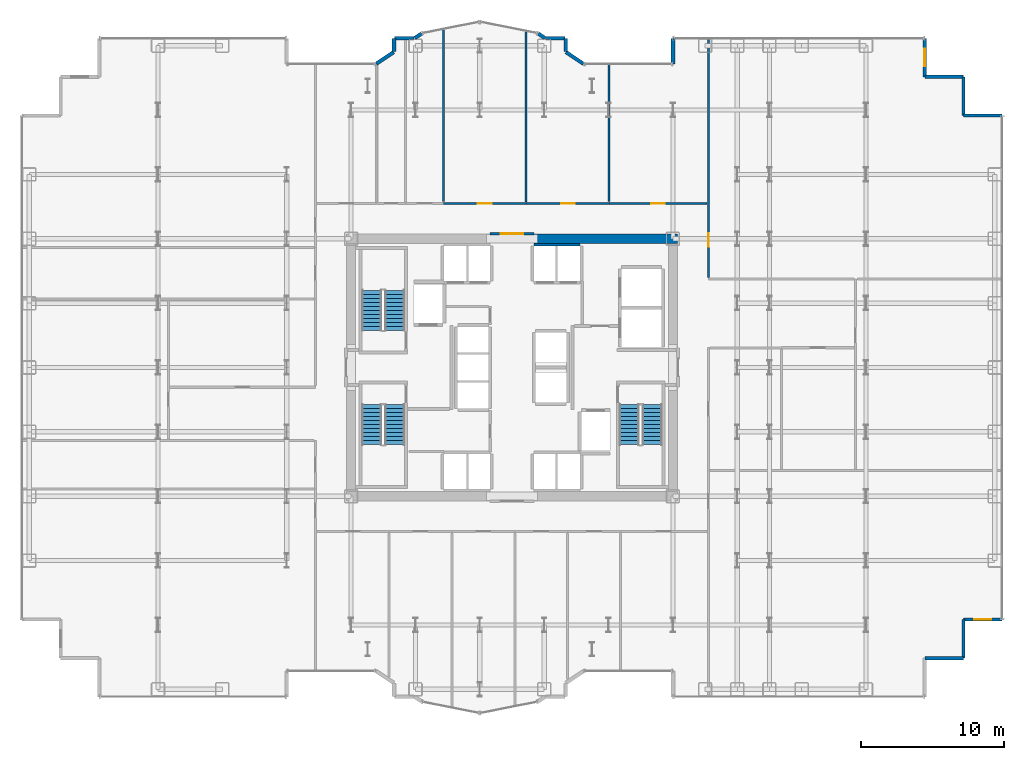
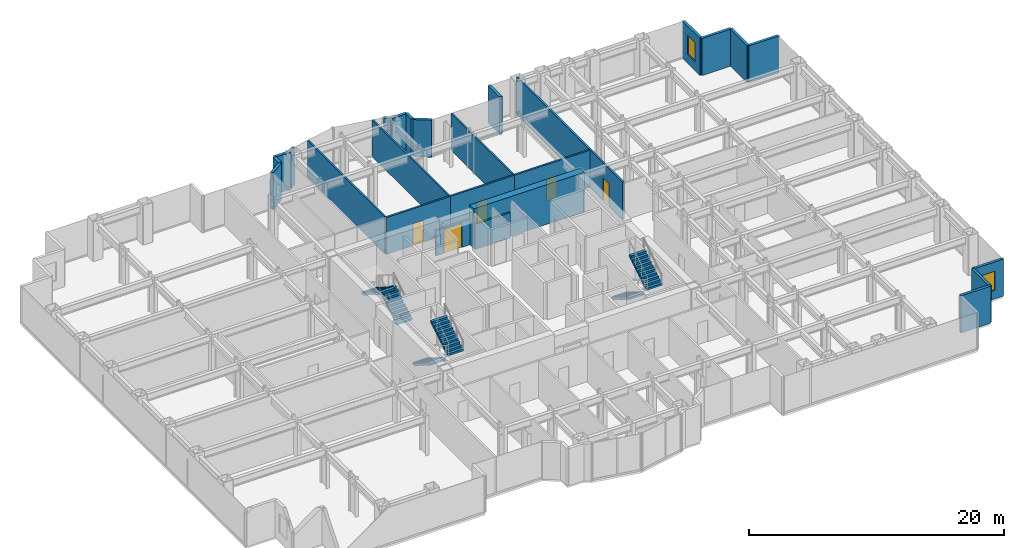
# One storey, part 24 of 25: 26 walls, 6 stair flights, 5 doors, 2 windows, 7 openings, 3 elements without a shape of their own.
"""IFC4 building model written with IfcOpenShell, lengths in metres."""

from ifc_helpers import new_model, si_unit, direction, frame, frame_2d, origin, place, context, subcontext, project, spatial, polyline, rectangle, outline, extrude, source, transform, mapped, material, layer, layer_set, type_object, element, fill, aggregate, save


model = new_model("IFC4")

# Units and contexts
model_context = context("Model", 3, precision=1e-05, world=origin(), true_north=direction((0.0, 1.0)))
body_context = subcontext(model_context, "Body", "Model", "MODEL_VIEW")
ifc_project = project(units=[si_unit("LENGTHUNIT", "METRE"), si_unit("AREAUNIT", "SQUARE_METRE"), si_unit("VOLUMEUNIT", "CUBIC_METRE"), si_unit("PLANEANGLEUNIT", "RADIAN"), si_unit("MASSUNIT", "GRAM", prefix="KILO")], contexts=[model_context])

# Site, building, storey
site_placement = place(None, origin())
site = spatial("IfcSite", under=ifc_project, at=site_placement, CompositionType="ELEMENT")
building_placement = place(site_placement, origin())
building = spatial("IfcBuilding", under=site, at=building_placement, Name="Nefas-Gora Pilgrimage Tower", CompositionType="ELEMENT")
storey_placement = place(building_placement, frame((0.0, 0.0, 52.0)))
storey = spatial("IfcBuildingStorey", under=building, at=storey_placement, Name="L11", CompositionType="ELEMENT", Elevation=52.0)

# Walls
ifc_material_1 = material(Name="Concrete C60/75", Category="concrete")
ifc_layer_1 = layer(ifc_material_1, 0.64990234375)
ifc_layer_set_1 = layer_set([ifc_layer_1], Name="Concrete C60/75")
wall_type_1 = type_object("IfcWallType", Name="SW-CORE-650", PredefinedType="SHEAR", material=ifc_layer_set_1)
shared_shape_1 = source(origin(), body_context, "Body", "SweptSolid", [
    extrude(rectangle(XDim=10.02490234375, YDim=0.64990234375, at=frame_2d((5.012451171875, 0.0))), origin(), (0.0, 0.0, 1.0), 3.800048828125),
])
wall_1_placement = place(storey_placement, frame((1.550048828125, 9.0, 0.0), z_axis=(0.0, 0.0, 1.0), x_axis=(1.0, 0.0, 0.0)))
element("IfcWall", 1, at=wall_1_placement, inside=storey, type_object=wall_type_1, Name="L11 Core Shear Wall N-East", PredefinedType="SHEAR", context=body_context, shape_type="MappedRepresentation", body=[
    mapped(shared_shape_1, transform((0.0, 0.0, 0.0), x_axis=(1.0, 0.0, 0.0), y_axis=(0.0, 1.0, 0.0), z_axis=(0.0, 0.0, 1.0), scale=1.0)),
])
ifc_material_2 = material(Name="Precast concrete C40/50", Category="concrete")
ifc_layer_2 = layer(ifc_material_2, 0.260009765625)
ifc_layer_set_2 = layer_set([ifc_layer_2], Name="Precast concrete C40/50")
wall_type_2 = type_object("IfcWallType", Name="EW-PORTAL-260", PredefinedType="SOLIDWALL", material=ifc_layer_set_2)
shared_shape_2 = source(origin(), body_context, "Body", "SweptSolid", [
    extrude(rectangle(XDim=1.800048828125, YDim=0.260009765625, at=frame_2d((0.89990234375, 0.0))), origin(), (0.0, 0.0, 1.0), 3.550048828125),
])
wall_2_placement = place(storey_placement, frame((11.25, 23.02001953125, 0.0), z_axis=(0.0, 0.0, 1.0), x_axis=(0.0, -1.0, 0.0)))
element("IfcWall", 2, at=wall_2_placement, inside=storey, type_object=wall_type_2, Name="L11 Lobe Shoulder Precast Spandrel Pier 10", PredefinedType="SOLIDWALL", context=body_context, shape_type="MappedRepresentation", body=[
    mapped(shared_shape_2, transform((0.0, 0.0, 0.0), x_axis=(1.0, 0.0, 0.0), y_axis=(0.0, 1.0, 0.0), z_axis=(0.0, 0.0, 1.0), scale=1.0)),
])
ifc_material_3 = material(Name="Precast concrete C45/55", Category="concrete")
ifc_layer_3 = layer(ifc_material_3, 0.239990234375)
ifc_layer_set_3 = layer_set([ifc_layer_3], Name="Precast concrete C45/55")
wall_type_3 = type_object("IfcWallType", Name="EW-SERR-240", PredefinedType="SHEAR", material=ifc_layer_set_3)
shared_shape_3 = source(origin(), body_context, "Body", "SweptSolid", [
    extrude(rectangle(XDim=2.699951171875, YDim=0.239990234375, at=frame_2d((1.35009765625, 0.0))), origin(), (0.0, 0.0, 1.0), 3.550048828125),
])
for number, where, z_axis, x_axis, name in (
    (3, (28.8701171875, -20.320068359375, 0.0), (0.0, 0.0, 1.0), (1.0, 0.0, 0.0), "L11 Serrated Corner Shear Pier Wall 3"),
    (4, (31.570068359375, -20.320068359375, 0.0), (0.0, 0.0, 1.0), (0.0, 1.0, 0.0), "L11 Serrated Corner Shear Pier Wall 4"),
):
    element("IfcWall", number, at=place(storey_placement, frame(where, z_axis=z_axis, x_axis=x_axis)), inside=storey, type_object=wall_type_3, Name=name, PredefinedType="SHEAR", context=body_context, shape_type="MappedRepresentation", body=[
        mapped(shared_shape_3, transform((0.0, 0.0, 0.0), x_axis=(1.0, 0.0, 0.0), y_axis=(0.0, 1.0, 0.0), z_axis=(0.0, 0.0, 1.0), scale=1.0)),
    ])

# Wall, opening, window
wall_3_placement = place(storey_placement, frame((31.570068359375, -17.6201171875, 0.0), z_axis=(0.0, 0.0, 1.0), x_axis=(1.0, 0.0, 0.0)))
wall_3 = element("IfcWall", 5, at=wall_3_placement, inside=storey, type_object=wall_type_3, Name="L11 Serrated Corner Shear Pier Wall 5", PredefinedType="SHEAR", context=body_context, shape_type="MappedRepresentation", body=[
    mapped(shared_shape_3, transform((0.0, 0.0, 0.0), x_axis=(1.0, 0.0, 0.0), y_axis=(0.0, 1.0, 0.0), z_axis=(0.0, 0.0, 1.0), scale=1.0)),
])
opening_1_placement = place(wall_3_placement, frame((0.75, 0.0, 0.85009765625)))
opening_1 = element("IfcOpeningElement", 6, at=opening_1_placement, cuts=wall_3, Name="Opening W-V1", PredefinedType="OPENING", context=body_context, shape_type="SweptSolid", body=[
    extrude(rectangle(XDim=1.199951171875, YDim=1.800048828125, at=frame_2d((0.60009765625, 0.89990234375))), frame((0.0, 0.1298828125, 0.0), z_axis=(0.0, -1.0, 0.0), x_axis=(1.0, 0.0, 0.0)), (0.0, 0.0, 1.0), 0.260009765625),
])
ifc_material_4 = material(Name="Dark ceramic-fritted operable aluminium-glass window", Category="aluminium")
window_type = type_object("IfcWindowType", Name="WIN-VENT-1200x1800", PartitioningType="SINGLE_PANEL", PredefinedType="WINDOW", material=ifc_material_4)
shared_shape_4 = source(origin(), body_context, "Body", "SweptSolid", [
    extrude(rectangle(XDim=1.199951171875, YDim=1.800048828125, at=frame_2d((0.60009765625, 0.89990234375))), frame((0.0, 0.030029296875, 0.0), z_axis=(0.0, -1.0, 0.0), x_axis=(1.0, 0.0, 0.0)), (0.0, 0.0, 1.0), 0.06005859375),
])
window_1_placement = place(opening_1_placement, origin())
window_1 = element("IfcWindow", 7, at=window_1_placement, inside=storey, type_object=window_type, Name="L11 Operable Parallel-Outswing Window 5", OverallHeight=1.800048828125, OverallWidth=1.199951171875, PartitioningType="SINGLE_PANEL", PredefinedType="WINDOW", context=body_context, shape_type="MappedRepresentation", body=[
    mapped(shared_shape_4, transform((0.0, 0.0, 0.0), x_axis=(1.0, 0.0, 0.0), y_axis=(0.0, 1.0, 0.0), z_axis=(0.0, 0.0, 1.0), scale=1.0)),
])
fill(opening_1, window_1)

# Walls
for number, where, z_axis, x_axis, name in (
    (8, (34.27001953125, 17.6201171875, 0.0), (0.0, 0.0, 1.0), (-1.0, 0.0, 0.0), "L11 Serrated Corner Shear Pier Wall 6"),
    (9, (31.570068359375, 17.6201171875, 0.0), (0.0, 0.0, 1.0), (0.0, 1.0, 0.0), "L11 Serrated Corner Shear Pier Wall 7"),
    (10, (31.570068359375, 20.320068359375, 0.0), (0.0, 0.0, 1.0), (-1.0, 0.0, 0.0), "L11 Serrated Corner Shear Pier Wall 8"),
):
    element("IfcWall", number, at=place(storey_placement, frame(where, z_axis=z_axis, x_axis=x_axis)), inside=storey, type_object=wall_type_3, Name=name, PredefinedType="SHEAR", context=body_context, shape_type="MappedRepresentation", body=[
        mapped(shared_shape_3, transform((0.0, 0.0, 0.0), x_axis=(1.0, 0.0, 0.0), y_axis=(0.0, 1.0, 0.0), z_axis=(0.0, 0.0, 1.0), scale=1.0)),
    ])

# Wall, opening, window
wall_4_placement = place(storey_placement, frame((28.8701171875, 20.320068359375, 0.0), z_axis=(0.0, 0.0, 1.0), x_axis=(0.0, 1.0, 0.0)))
wall_4 = element("IfcWall", 11, at=wall_4_placement, inside=storey, type_object=wall_type_3, Name="L11 Serrated Corner Shear Pier Wall 9", PredefinedType="SHEAR", context=body_context, shape_type="MappedRepresentation", body=[
    mapped(shared_shape_3, transform((0.0, 0.0, 0.0), x_axis=(1.0, 0.0, 0.0), y_axis=(0.0, 1.0, 0.0), z_axis=(0.0, 0.0, 1.0), scale=1.0)),
])
opening_2_placement = place(wall_4_placement, frame((0.75, 0.0, 0.85009765625)))
opening_2 = element("IfcOpeningElement", 12, at=opening_2_placement, cuts=wall_4, Name="Opening W-V1", PredefinedType="OPENING", context=body_context, shape_type="SweptSolid", body=[
    extrude(rectangle(XDim=1.199951171875, YDim=1.800048828125, at=frame_2d((0.60009765625, 0.89990234375))), frame((0.0, 0.1298828125, 0.0), z_axis=(0.0, -1.0, 0.0), x_axis=(1.0, 0.0, 0.0)), (0.0, 0.0, 1.0), 0.260009765625),
])
window_2_placement = place(opening_2_placement, origin())
window_2 = element("IfcWindow", 13, at=window_2_placement, inside=storey, type_object=window_type, Name="L11 Operable Parallel-Outswing Window 9", OverallHeight=1.800048828125, OverallWidth=1.199951171875, PartitioningType="SINGLE_PANEL", PredefinedType="WINDOW", context=body_context, shape_type="MappedRepresentation", body=[
    mapped(shared_shape_4, transform((0.0, 0.0, 0.0), x_axis=(1.0, 0.0, 0.0), y_axis=(0.0, 1.0, 0.0), z_axis=(0.0, 0.0, 1.0), scale=1.0)),
])
fill(opening_2, window_2)

# Walls
shared_shape_5 = source(origin(), body_context, "Body", "SweptSolid", [
    extrude(rectangle(XDim=1.468994140625, YDim=0.260009765625, at=frame_2d((0.734375, 0.0))), origin(), (0.0, 0.0, 1.0), 3.550048828125),
])
for number, where, z_axis, x_axis, name in (
    (14, (4.99462890625, 21.235595703125, 0.0), (0.0, 0.0, 1.0), (-0.831461760506, 0.555581983884, 0.0), "L11 Lobe Shoulder Precast Spandrel Pier 11"),
    (15, (-8.273193359375, 22.0517578125, 0.0), (0.0, 0.0, 1.0), (-0.831461760506, -0.555581983884, 0.0), "L11 Lobe Shoulder Precast Spandrel Pier 18"),
):
    element("IfcWall", number, at=place(storey_placement, frame(where, z_axis=z_axis, x_axis=x_axis)), inside=storey, type_object=wall_type_2, Name=name, PredefinedType="SOLIDWALL", context=body_context, shape_type="MappedRepresentation", body=[
        mapped(shared_shape_5, transform((0.0, 0.0, 0.0), x_axis=(1.0, 0.0, 0.0), y_axis=(0.0, 1.0, 0.0), z_axis=(0.0, 0.0, 1.0), scale=1.0)),
    ])
shared_shape_6 = source(origin(), body_context, "Body", "SweptSolid", [
    extrude(rectangle(XDim=0.896728515625, YDim=0.260009765625, at=frame_2d((0.4482421875, 0.0))), origin(), (0.0, 0.0, 1.0), 3.550048828125),
])
for number, where, z_axis, x_axis, name in (
    (16, (3.75, 22.09521484375, 0.0), (0.0, 0.0, 1.0), (0.0, 1.0, 0.0), "L11 Lobe Shoulder Precast Spandrel Pier 12"),
    (17, (-8.25, 22.991943359375, 0.0), (0.0, 0.0, 1.0), (0.0, -1.0, 0.0), "L11 Lobe Shoulder Precast Spandrel Pier 17"),
):
    element("IfcWall", number, at=place(storey_placement, frame(where, z_axis=z_axis, x_axis=x_axis)), inside=storey, type_object=wall_type_2, Name=name, PredefinedType="SOLIDWALL", context=body_context, shape_type="MappedRepresentation", body=[
        mapped(shared_shape_6, transform((0.0, 0.0, 0.0), x_axis=(1.0, 0.0, 0.0), y_axis=(0.0, 1.0, 0.0), z_axis=(0.0, 0.0, 1.0), scale=1.0)),
    ])
shared_shape_7 = source(origin(), body_context, "Body", "SweptSolid", [
    extrude(rectangle(XDim=1.369873046875, YDim=0.260009765625, at=frame_2d((0.68505859375, 0.0))), origin(), (0.0, 0.0, 1.0), 3.550048828125),
])
for number, where, z_axis, x_axis, name in (
    (18, (3.721923828125, 23.02001953125, 0.0), (0.0, 0.0, 1.0), (-1.0, 0.0, 0.0), "L11 Lobe Shoulder Precast Spandrel Pier 13"),
    (19, (-6.85205078125, 23.02001953125, 0.0), (0.0, 0.0, 1.0), (-1.0, 0.0, 0.0), "L11 Lobe Shoulder Precast Spandrel Pier 16"),
):
    element("IfcWall", number, at=place(storey_placement, frame(where, z_axis=z_axis, x_axis=x_axis)), inside=storey, type_object=wall_type_2, Name=name, PredefinedType="SOLIDWALL", context=body_context, shape_type="MappedRepresentation", body=[
        mapped(shared_shape_7, transform((0.0, 0.0, 0.0), x_axis=(1.0, 0.0, 0.0), y_axis=(0.0, 1.0, 0.0), z_axis=(0.0, 0.0, 1.0), scale=1.0)),
    ])
shared_shape_8 = source(origin(), body_context, "Body", "SweptSolid", [
    extrude(rectangle(XDim=0.5654296875, YDim=0.260009765625, at=frame_2d((0.28271484375, 0.0))), origin(), (0.0, 0.0, 1.0), 3.550048828125),
])
for number, where, z_axis, x_axis, name in (
    (20, (2.30078125, 23.03564453125, 0.0), (0.0, 0.0, 1.0), (-0.831651492666, 0.555297933317, 0.0), "L11 Lobe Shoulder Precast Spandrel Pier 14"),
    (21, (-6.33056640625, 23.349609375, 0.0), (0.0, 0.0, 1.0), (-0.831651492666, -0.555297933317, 0.0), "L11 Lobe Shoulder Precast Spandrel Pier 15"),
):
    element("IfcWall", number, at=place(storey_placement, frame(where, z_axis=z_axis, x_axis=x_axis)), inside=storey, type_object=wall_type_2, Name=name, PredefinedType="SOLIDWALL", context=body_context, shape_type="MappedRepresentation", body=[
        mapped(shared_shape_8, transform((0.0, 0.0, 0.0), x_axis=(1.0, 0.0, 0.0), y_axis=(0.0, 1.0, 0.0), z_axis=(0.0, 0.0, 1.0), scale=1.0)),
    ])
ifc_material_5 = material(Name="Gypsum acoustic stud partition")
ifc_layer_4 = layer(ifc_material_5, 0.159912109375)
ifc_layer_set_4 = layer_set([ifc_layer_4], Name="Gypsum acoustic stud partition")
wall_type_4 = type_object("IfcWallType", Name="IW-CORR-160", PredefinedType="PARTITIONING", material=ifc_layer_set_4)
shared_shape_9 = source(origin(), body_context, "Body", "SweptSolid", [
    extrude(rectangle(XDim=3.199951171875, YDim=0.159912109375, at=frame_2d((1.60009765625, 0.0))), origin(), (0.0, 0.0, 1.0), 2.425048828125),
])
wall_5_placement = place(storey_placement, frame((4.75, 8.580078125, 0.0), z_axis=(0.0, 0.0, 1.0), x_axis=(-1.0, 0.0, 0.0)))
element("IfcWall", 22, at=wall_5_placement, inside=storey, type_object=wall_type_4, Name="L11 Hoistway Wall PL1-E-N", PredefinedType="PARTITIONING", context=body_context, shape_type="MappedRepresentation", body=[
    mapped(shared_shape_9, transform((0.0, 0.0, 0.0), x_axis=(1.0, 0.0, 0.0), y_axis=(0.0, 1.0, 0.0), z_axis=(0.0, 0.0, 1.0), scale=1.0)),
])

# Wall, opening, door
shared_shape_10 = source(origin(), body_context, "Body", "SweptSolid", [
    extrude(rectangle(XDim=3.08984375, YDim=0.159912109375, at=frame_2d((1.544921875, 0.0))), origin(), (0.0, 0.0, 1.0), 2.425048828125),
])
wall_6_placement = place(storey_placement, frame((-1.544921875, 9.35009765625, 0.0), z_axis=(0.0, 0.0, 1.0), x_axis=(1.0, 0.0, 0.0)))
wall_6 = element("IfcWall", 23, at=wall_6_placement, inside=storey, type_object=wall_type_4, Name="L11 Central Lift Lobby North Portal Wall 13", PredefinedType="PARTITIONING", context=body_context, shape_type="MappedRepresentation", body=[
    mapped(shared_shape_10, transform((0.0, 0.0, 0.0), x_axis=(1.0, 0.0, 0.0), y_axis=(0.0, 1.0, 0.0), z_axis=(0.0, 0.0, 1.0), scale=1.0)),
])
opening_3_placement = place(wall_6_placement, frame((0.7451171875, 0.0, 0.0)))
opening_3 = element("IfcOpeningElement", 24, at=opening_3_placement, cuts=wall_6, Name="Opening ID-HL1", PredefinedType="OPENING", context=body_context, shape_type="SweptSolid", body=[
    extrude(rectangle(XDim=1.60009765625, YDim=2.300048828125, at=frame_2d((0.800048828125, 1.14990234375))), frame((0.0, 0.08984375, 0.0), z_axis=(0.0, -1.0, 0.0), x_axis=(1.0, 0.0, 0.0)), (0.0, 0.0, 1.0), 0.179931640625),
])
ifc_material_6 = material(Name="Double acoustic timber assembly hall door", Category="wood")
door_type_1 = type_object("IfcDoorType", Name="DR-INT-HALL-1600", OperationType="DOUBLE_DOOR_SINGLE_SWING", PredefinedType="DOOR", material=ifc_material_6)
shared_shape_11 = source(origin(), body_context, "Body", "SweptSolid", [
    extrude(rectangle(XDim=1.60009765625, YDim=2.300048828125, at=frame_2d((0.800048828125, 1.14990234375))), frame((0.0, 0.02490234375, 0.0), z_axis=(0.0, -1.0, 0.0), x_axis=(1.0, 0.0, 0.0)), (0.0, 0.0, 1.0), 0.050048828125),
])
door_1_placement = place(opening_3_placement, origin())
door_1 = element("IfcDoor", 25, at=door_1_placement, inside=storey, type_object=door_type_1, Name="L11 Central Lift Lobby North Portal Door 4", OperationType="DOUBLE_DOOR_SINGLE_SWING", OverallHeight=2.300048828125, OverallWidth=1.60009765625, PredefinedType="DOOR", context=body_context, shape_type="MappedRepresentation", body=[
    mapped(shared_shape_11, transform((0.0, 0.0, 0.0), x_axis=(1.0, 0.0, 0.0), y_axis=(0.0, 1.0, 0.0), z_axis=(0.0, 0.0, 1.0), scale=1.0)),
])
fill(opening_3, door_1)

# Wall
ifc_material_7 = material(Name="Gypsum twin-stud partition")
ifc_layer_5 = layer(ifc_material_7, 0.139892578125)
ifc_layer_set_5 = layer_set([ifc_layer_5], Name="Gypsum twin-stud partition")
wall_type_5 = type_object("IfcWallType", Name="IW-UNIT-140", PredefinedType="PARTITIONING", material=ifc_layer_set_5)
shared_shape_12 = source(origin(), body_context, "Body", "SweptSolid", [
    extrude(rectangle(XDim=9.64990234375, YDim=0.139892578125, at=frame_2d((4.824951171875, 0.0))), origin(), (0.0, 0.0, 1.0), 3.534912109375),
])
wall_7_placement = place(storey_placement, frame((6.794921875, 11.590087890625, 0.0), z_axis=(0.0, 0.0, 1.0), x_axis=(0.0, 1.0, 0.0)))
element("IfcWall", 26, at=wall_7_placement, inside=storey, type_object=wall_type_5, Name="L11 Pilgrim Contemplative Lounge Partition Wall 50", PredefinedType="PARTITIONING", context=body_context, shape_type="MappedRepresentation", body=[
    mapped(shared_shape_12, transform((0.0, 0.0, 0.0), x_axis=(1.0, 0.0, 0.0), y_axis=(0.0, 1.0, 0.0), z_axis=(0.0, 0.0, 1.0), scale=1.0)),
])

# Wall, opening, door
shared_shape_13 = source(origin(), body_context, "Body", "SweptSolid", [
    extrude(rectangle(XDim=16.735107421875, YDim=0.159912109375, at=frame_2d((8.36767578125, 0.0))), origin(), (0.0, 0.0, 1.0), 3.534912109375),
])
wall_8_placement = place(storey_placement, frame((13.739990234375, 6.304931640625, 0.0), z_axis=(0.0, 0.0, 1.0), x_axis=(0.0, 1.0, 0.0)))
wall_8 = element("IfcWall", 27, at=wall_8_placement, inside=storey, type_object=wall_type_4, Name="L11 Pilgrim Contemplative Lounge Partition Wall 43", PredefinedType="PARTITIONING", context=body_context, shape_type="MappedRepresentation", body=[
    mapped(shared_shape_13, transform((0.0, 0.0, 0.0), x_axis=(1.0, 0.0, 0.0), y_axis=(0.0, 1.0, 0.0), z_axis=(0.0, 0.0, 1.0), scale=1.0)),
])
opening_4_placement = place(wall_8_placement, frame((2.12744140625, 0.0, 0.0)))
opening_4 = element("IfcOpeningElement", 28, at=opening_4_placement, cuts=wall_8, Name="Opening ID-GR1", PredefinedType="OPENING", context=body_context, shape_type="SweptSolid", body=[
    extrude(rectangle(XDim=0.949951171875, YDim=2.10009765625, at=frame_2d((0.47509765625, 1.050048828125))), frame((0.0, 0.08984375, 0.0), z_axis=(0.0, -1.0, 0.0), x_axis=(1.0, 0.0, 0.0)), (0.0, 0.0, 1.0), 0.179931640625),
])
ifc_material_8 = material(Name="Solid core oak fire-rated guest entrance door")
door_type_2 = type_object("IfcDoorType", Name="DR-INT-GUEST-950", OperationType="NOTDEFINED", PredefinedType="DOOR", material=ifc_material_8)
shared_shape_14 = source(origin(), body_context, "Body", "SweptSolid", [
    extrude(rectangle(XDim=0.949951171875, YDim=2.10009765625, at=frame_2d((0.47509765625, 1.050048828125))), frame((0.0, 0.02490234375, 0.0), z_axis=(0.0, -1.0, 0.0), x_axis=(1.0, 0.0, 0.0)), (0.0, 0.0, 1.0), 0.050048828125),
])
door_2_placement = place(opening_4_placement, origin())
door_2 = element("IfcDoor", 29, at=door_2_placement, inside=storey, type_object=door_type_2, Name="L11 Pilgrim Contemplative Lounge Door 19", OperationType="SINGLE_SWING_RIGHT", OverallHeight=2.10009765625, OverallWidth=0.949951171875, PredefinedType="DOOR", context=body_context, shape_type="MappedRepresentation", body=[
    mapped(shared_shape_14, transform((0.0, 0.0, 0.0), x_axis=(1.0, 0.0, 0.0), y_axis=(0.0, 1.0, 0.0), z_axis=(0.0, 0.0, 1.0), scale=1.0)),
])
fill(opening_4, door_2)

# Wall
shared_shape_15 = source(origin(), body_context, "Body", "SweptSolid", [
    extrude(rectangle(XDim=12.096435546875, YDim=0.139892578125, at=frame_2d((6.04833984375, 0.0))), origin(), (0.0, 0.0, 1.0), 3.534912109375),
])
wall_9_placement = place(storey_placement, frame((-4.804931640625, 11.590087890625, 0.0), z_axis=(0.0, 0.0, 1.0), x_axis=(0.0, 1.0, 0.0)))
element("IfcWall", 30, at=wall_9_placement, inside=storey, type_object=wall_type_5, Name="L11 Pilgrim Contemplative Lounge Partition Wall 46", PredefinedType="PARTITIONING", context=body_context, shape_type="MappedRepresentation", body=[
    mapped(shared_shape_15, transform((0.0, 0.0, 0.0), x_axis=(1.0, 0.0, 0.0), y_axis=(0.0, 1.0, 0.0), z_axis=(0.0, 0.0, 1.0), scale=1.0)),
])

# Wall, opening, door
shared_shape_16 = source(origin(), body_context, "Body", "SweptSolid", [
    extrude(rectangle(XDim=5.804931640625, YDim=0.159912109375, at=frame_2d((2.90234375, 0.0))), origin(), (0.0, 0.0, 1.0), 3.534912109375),
])
wall_10_placement = place(storey_placement, frame((-4.804931640625, 11.469970703125, 0.0), z_axis=(0.0, 0.0, 1.0), x_axis=(1.0, 0.0, 0.0)))
wall_10 = element("IfcWall", 31, at=wall_10_placement, inside=storey, type_object=wall_type_4, Name="L11 Pilgrim Contemplative Lounge Partition Wall 47", PredefinedType="PARTITIONING", context=body_context, shape_type="MappedRepresentation", body=[
    mapped(shared_shape_16, transform((0.0, 0.0, 0.0), x_axis=(1.0, 0.0, 0.0), y_axis=(0.0, 1.0, 0.0), z_axis=(0.0, 0.0, 1.0), scale=1.0)),
])
opening_5_placement = place(wall_10_placement, frame((2.427490234375, 0.0, 0.0)))
opening_5 = element("IfcOpeningElement", 32, at=opening_5_placement, cuts=wall_10, Name="Opening ID-GR1", PredefinedType="OPENING", context=body_context, shape_type="SweptSolid", body=[
    extrude(rectangle(XDim=0.949951171875, YDim=2.10009765625, at=frame_2d((0.47509765625, 1.050048828125))), frame((0.0, 0.08984375, 0.0), z_axis=(0.0, -1.0, 0.0), x_axis=(1.0, 0.0, 0.0)), (0.0, 0.0, 1.0), 0.179931640625),
])
door_3_placement = place(opening_5_placement, origin())
door_3 = element("IfcDoor", 33, at=door_3_placement, inside=storey, type_object=door_type_2, Name="L11 Pilgrim Contemplative Lounge Door 22", OperationType="SINGLE_SWING_LEFT", OverallHeight=2.10009765625, OverallWidth=0.949951171875, PredefinedType="DOOR", context=body_context, shape_type="MappedRepresentation", body=[
    mapped(shared_shape_14, transform((0.0, 0.0, 0.0), x_axis=(1.0, 0.0, 0.0), y_axis=(0.0, 1.0, 0.0), z_axis=(0.0, 0.0, 1.0), scale=1.0)),
])
fill(opening_5, door_3)

wall_11_placement = place(storey_placement, frame((1.0, 11.469970703125, 0.0), z_axis=(0.0, 0.0, 1.0), x_axis=(1.0, 0.0, 0.0)))
wall_11 = element("IfcWall", 34, at=wall_11_placement, inside=storey, type_object=wall_type_4, Name="L11 Pilgrim Contemplative Lounge Partition Wall 49", PredefinedType="PARTITIONING", context=body_context, shape_type="MappedRepresentation", body=[
    mapped(shared_shape_16, transform((0.0, 0.0, 0.0), x_axis=(1.0, 0.0, 0.0), y_axis=(0.0, 1.0, 0.0), z_axis=(0.0, 0.0, 1.0), scale=1.0)),
])
opening_6_placement = place(wall_11_placement, frame((2.427490234375, 0.0, 0.0)))
opening_6 = element("IfcOpeningElement", 35, at=opening_6_placement, cuts=wall_11, Name="Opening ID-GR1", PredefinedType="OPENING", context=body_context, shape_type="SweptSolid", body=[
    extrude(rectangle(XDim=0.949951171875, YDim=2.10009765625, at=frame_2d((0.47509765625, 1.050048828125))), frame((0.0, 0.08984375, 0.0), z_axis=(0.0, -1.0, 0.0), x_axis=(1.0, 0.0, 0.0)), (0.0, 0.0, 1.0), 0.179931640625),
])
door_4_placement = place(opening_6_placement, origin())
door_4 = element("IfcDoor", 36, at=door_4_placement, inside=storey, type_object=door_type_2, Name="L11 Pilgrim Contemplative Lounge Door 23", OperationType="SINGLE_SWING_RIGHT", OverallHeight=2.10009765625, OverallWidth=0.949951171875, PredefinedType="DOOR", context=body_context, shape_type="MappedRepresentation", body=[
    mapped(shared_shape_14, transform((0.0, 0.0, 0.0), x_axis=(1.0, 0.0, 0.0), y_axis=(0.0, 1.0, 0.0), z_axis=(0.0, 0.0, 1.0), scale=1.0)),
])
fill(opening_6, door_4)

# Wall
shared_shape_17 = source(origin(), body_context, "Body", "SweptSolid", [
    extrude(rectangle(XDim=11.958251953125, YDim=0.139892578125, at=frame_2d((5.97900390625, 0.0))), origin(), (0.0, 0.0, 1.0), 3.534912109375),
])
wall_12_placement = place(storey_placement, frame((0.989990234375, 11.590087890625, 0.0), z_axis=(0.0, 0.0, 1.0), x_axis=(0.0, 1.0, 0.0)))
element("IfcWall", 37, at=wall_12_placement, inside=storey, type_object=wall_type_5, Name="L11 Pilgrim Contemplative Lounge Partition Wall 48", PredefinedType="PARTITIONING", context=body_context, shape_type="MappedRepresentation", body=[
    mapped(shared_shape_17, transform((0.0, 0.0, 0.0), x_axis=(1.0, 0.0, 0.0), y_axis=(0.0, 1.0, 0.0), z_axis=(0.0, 0.0, 1.0), scale=1.0)),
])

# Wall, opening, door
shared_shape_18 = source(origin(), body_context, "Body", "SweptSolid", [
    extrude(rectangle(XDim=6.8251953125, YDim=0.159912109375, at=frame_2d((3.41259765625, 0.0))), origin(), (0.0, 0.0, 1.0), 3.534912109375),
])
wall_13_placement = place(storey_placement, frame((6.794921875, 11.469970703125, 0.0), z_axis=(0.0, 0.0, 1.0), x_axis=(1.0, 0.0, 0.0)))
wall_13 = element("IfcWall", 38, at=wall_13_placement, inside=storey, type_object=wall_type_4, Name="L11 Pilgrim Contemplative Lounge Partition Wall 51", PredefinedType="PARTITIONING", context=body_context, shape_type="MappedRepresentation", body=[
    mapped(shared_shape_18, transform((0.0, 0.0, 0.0), x_axis=(1.0, 0.0, 0.0), y_axis=(0.0, 1.0, 0.0), z_axis=(0.0, 0.0, 1.0), scale=1.0)),
])
opening_7_placement = place(wall_13_placement, frame((2.9375, 0.0, 0.0)))
opening_7 = element("IfcOpeningElement", 39, at=opening_7_placement, cuts=wall_13, Name="Opening ID-GR1", PredefinedType="OPENING", context=body_context, shape_type="SweptSolid", body=[
    extrude(rectangle(XDim=0.949951171875, YDim=2.10009765625, at=frame_2d((0.47509765625, 1.050048828125))), frame((0.0, 0.08984375, 0.0), z_axis=(0.0, -1.0, 0.0), x_axis=(1.0, 0.0, 0.0)), (0.0, 0.0, 1.0), 0.179931640625),
])
door_5_placement = place(opening_7_placement, origin())
door_5 = element("IfcDoor", 40, at=door_5_placement, inside=storey, type_object=door_type_2, Name="L11 Pilgrim Contemplative Lounge Door 24", OperationType="SINGLE_SWING_LEFT", OverallHeight=2.10009765625, OverallWidth=0.949951171875, PredefinedType="DOOR", context=body_context, shape_type="MappedRepresentation", body=[
    mapped(shared_shape_14, transform((0.0, 0.0, 0.0), x_axis=(1.0, 0.0, 0.0), y_axis=(0.0, 1.0, 0.0), z_axis=(0.0, 0.0, 1.0), scale=1.0)),
])
fill(opening_7, door_5)

# Stair, stair flights
ifc_material_9 = material(Name="Concrete C45/55", Category="concrete")
stair_type = type_object("IfcStairType", Name="STR-1400-R1727", PredefinedType="HALF_TURN_STAIR", material=ifc_material_9)
stair_1_placement = place(storey_placement, origin())
stair_1 = element("IfcStair", 41, at=stair_1_placement, inside=storey, type_object=stair_type, Name="L11 Pressurised Tower Exit Stair ST-01", PredefinedType="HALF_TURN_STAIR")
stair_flight_type = type_object("IfcStairFlightType", Name="STF-1400-R1727", PredefinedType="STRAIGHT", material=ifc_material_9)
shared_shape_19 = source(origin(), body_context, "Body", "SweptSolid", [
    extrude(outline(polyline([(0.0, 0.0), (0.0, 0.172607421875), (0.280029296875, 0.172607421875), (0.280029296875, 0.345458984375), (0.56005859375, 0.345458984375), (0.56005859375, 0.51806640625), (0.840087890625, 0.51806640625), (0.840087890625, 0.69091796875), (1.1201171875, 0.69091796875), (1.1201171875, 0.863525390625), (1.39990234375, 0.863525390625), (1.39990234375, 1.036376953125), (1.679931640625, 1.036376953125), (1.679931640625, 1.208984375), (1.9599609375, 1.208984375), (1.9599609375, 1.3818359375), (2.239990234375, 1.3818359375), (2.239990234375, 1.554443359375), (2.52001953125, 1.554443359375), (2.52001953125, 1.727294921875), (2.800048828125, 1.727294921875), (2.800048828125, 1.89990234375), (2.800048828125, 1.551025390625), (0.285400390625, 0.0), (0.0, 0.0)])), frame((0.0, 0.699951171875, 0.0), z_axis=(0.0, -1.0, 0.0), x_axis=(1.0, 0.0, 0.0)), (0.0, 0.0, 1.0), 1.39990234375),
])
stair_flight_1_placement = place(storey_placement, frame((-8.199951171875, 2.60009765625, 0.0), z_axis=(0.0, 0.0, 1.0), x_axis=(0.0, 1.0, 0.0)))
stair_flight_1 = element("IfcStairFlight", 42, at=stair_flight_1_placement, type_object=stair_flight_type, Name="ST-01 flight 1", NumberOfRisers=11, NumberOfTreads=10, PredefinedType="STRAIGHT", RiserHeight=0.172727273, TreadLength=0.28, context=body_context, shape_type="MappedRepresentation", body=[
    mapped(shared_shape_19, transform((0.0, 0.0, 0.0), x_axis=(1.0, 0.0, 0.0), y_axis=(0.0, 1.0, 0.0), z_axis=(0.0, 0.0, 1.0), scale=1.0)),
])
stair_flight_2_placement = place(storey_placement, frame((-9.800048828125, 5.39990234375, 1.89990234375), z_axis=(0.0, 0.0, 1.0), x_axis=(0.0, -1.0, 0.0)))
stair_flight_2 = element("IfcStairFlight", 43, at=stair_flight_2_placement, type_object=stair_flight_type, Name="ST-01 flight 2", NumberOfRisers=11, NumberOfTreads=10, PredefinedType="STRAIGHT", RiserHeight=0.172727273, TreadLength=0.28, context=body_context, shape_type="MappedRepresentation", body=[
    mapped(shared_shape_19, transform((0.0, 0.0, 0.0), x_axis=(1.0, 0.0, 0.0), y_axis=(0.0, 1.0, 0.0), z_axis=(0.0, 0.0, 1.0), scale=1.0)),
])
aggregate(stair_1, [stair_flight_1, stair_flight_2])

stair_2_placement = place(storey_placement, origin())
stair_2 = element("IfcStair", 44, at=stair_2_placement, inside=storey, type_object=stair_type, Name="L11 Pressurised Tower Exit Stair ST-02", PredefinedType="HALF_TURN_STAIR")
stair_flight_3_placement = place(storey_placement, frame((8.199951171875, -2.60009765625, 0.0), z_axis=(0.0, 0.0, 1.0), x_axis=(0.0, -1.0, 0.0)))
stair_flight_3 = element("IfcStairFlight", 45, at=stair_flight_3_placement, type_object=stair_flight_type, Name="ST-02 flight 1", NumberOfRisers=11, NumberOfTreads=10, PredefinedType="STRAIGHT", RiserHeight=0.172727273, TreadLength=0.28, context=body_context, shape_type="MappedRepresentation", body=[
    mapped(shared_shape_19, transform((0.0, 0.0, 0.0), x_axis=(1.0, 0.0, 0.0), y_axis=(0.0, 1.0, 0.0), z_axis=(0.0, 0.0, 1.0), scale=1.0)),
])
stair_flight_4_placement = place(storey_placement, frame((9.800048828125, -5.39990234375, 1.89990234375), z_axis=(0.0, 0.0, 1.0), x_axis=(0.0, 1.0, 0.0)))
stair_flight_4 = element("IfcStairFlight", 46, at=stair_flight_4_placement, type_object=stair_flight_type, Name="ST-02 flight 2", NumberOfRisers=11, NumberOfTreads=10, PredefinedType="STRAIGHT", RiserHeight=0.172727273, TreadLength=0.28, context=body_context, shape_type="MappedRepresentation", body=[
    mapped(shared_shape_19, transform((0.0, 0.0, 0.0), x_axis=(1.0, 0.0, 0.0), y_axis=(0.0, 1.0, 0.0), z_axis=(0.0, 0.0, 1.0), scale=1.0)),
])
aggregate(stair_2, [stair_flight_3, stair_flight_4])

stair_3_placement = place(storey_placement, origin())
stair_3 = element("IfcStair", 47, at=stair_3_placement, inside=storey, type_object=stair_type, Name="L11 Pressurised Tower Exit Stair ST-03", PredefinedType="HALF_TURN_STAIR")
stair_flight_5_placement = place(storey_placement, frame((-9.800048828125, -2.60009765625, 0.0), z_axis=(0.0, 0.0, 1.0), x_axis=(0.0, -1.0, 0.0)))
stair_flight_5 = element("IfcStairFlight", 48, at=stair_flight_5_placement, type_object=stair_flight_type, Name="ST-03 flight 1", NumberOfRisers=11, NumberOfTreads=10, PredefinedType="STRAIGHT", RiserHeight=0.172727273, TreadLength=0.28, context=body_context, shape_type="MappedRepresentation", body=[
    mapped(shared_shape_19, transform((0.0, 0.0, 0.0), x_axis=(1.0, 0.0, 0.0), y_axis=(0.0, 1.0, 0.0), z_axis=(0.0, 0.0, 1.0), scale=1.0)),
])
stair_flight_6_placement = place(storey_placement, frame((-8.199951171875, -5.39990234375, 1.89990234375), z_axis=(0.0, 0.0, 1.0), x_axis=(0.0, 1.0, 0.0)))
stair_flight_6 = element("IfcStairFlight", 49, at=stair_flight_6_placement, type_object=stair_flight_type, Name="ST-03 flight 2", NumberOfRisers=11, NumberOfTreads=10, PredefinedType="STRAIGHT", RiserHeight=0.172727273, TreadLength=0.28, context=body_context, shape_type="MappedRepresentation", body=[
    mapped(shared_shape_19, transform((0.0, 0.0, 0.0), x_axis=(1.0, 0.0, 0.0), y_axis=(0.0, 1.0, 0.0), z_axis=(0.0, 0.0, 1.0), scale=1.0)),
])
aggregate(stair_3, [stair_flight_5, stair_flight_6])

save(model, "model.ifc")
